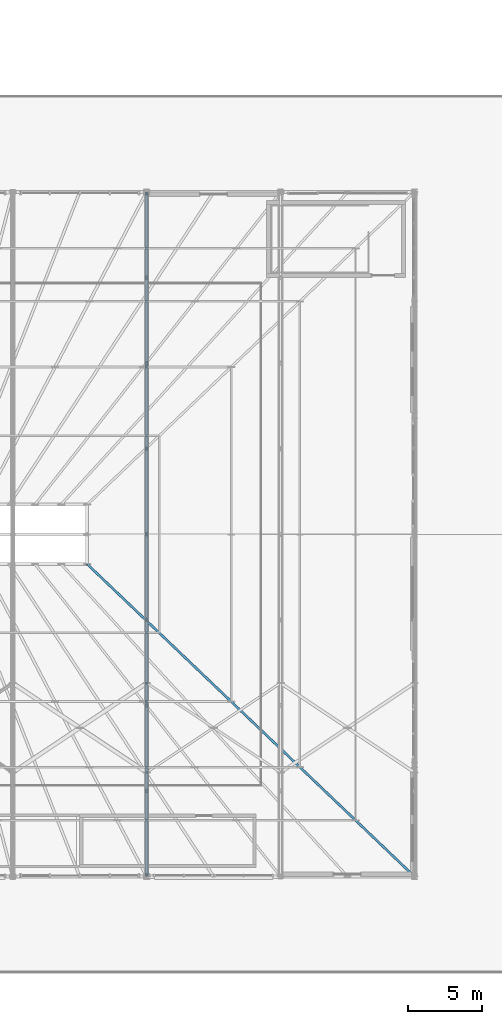
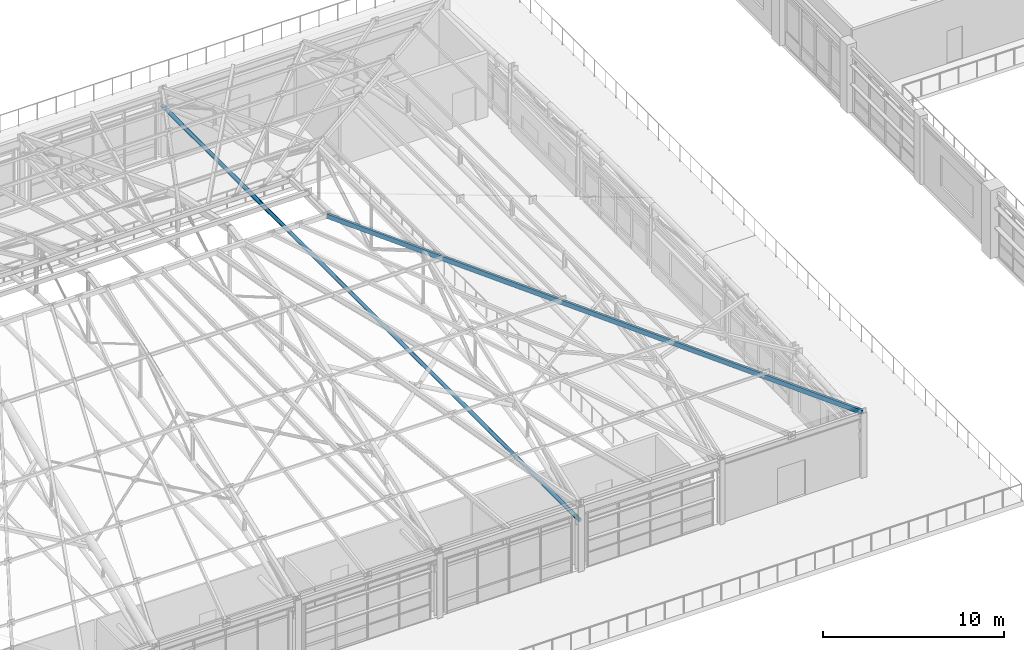
# One storey, part 45 of 168: 2 members.
"""IFC4 building model written with IfcOpenShell, lengths in metres."""

from ifc_helpers import new_model, si_unit, direction, frame, origin, origin_2d, place, context, subcontext, project, spatial, hollow_rectangle, hollow_circle, extrude, material, material_profile, profile_set, type_object, element, save


model = new_model("IFC4")

# Units and contexts
model_context = context("Model", 3, precision=1e-05, world=origin(), true_north=direction((0.0, 1.0)))
body_context = subcontext(model_context, "Body", "Model", "MODEL_VIEW")
ifc_project = project(units=[si_unit("LENGTHUNIT", "METRE"), si_unit("AREAUNIT", "SQUARE_METRE"), si_unit("VOLUMEUNIT", "CUBIC_METRE"), si_unit("PLANEANGLEUNIT", "RADIAN"), si_unit("MASSUNIT", "GRAM", prefix="KILO"), si_unit("THERMODYNAMICTEMPERATUREUNIT", "KELVIN"), si_unit("POWERUNIT", "WATT")], contexts=[model_context])

# Site, building, storey
site_placement = place(None, origin())
site = spatial("IfcSite", under=ifc_project, at=site_placement, CompositionType="ELEMENT")
building_placement = place(site_placement, origin())
building = spatial("IfcBuilding", under=site, at=building_placement, Name="Tepalcoro Natatorium and Aquatics Centre", CompositionType="ELEMENT")
storey_placement = place(building_placement, frame((0.0, 0.0, 10.199951171875)))
storey = spatial("IfcBuildingStorey", under=building, at=storey_placement, Name="L02", CompositionType="ELEMENT", Elevation=10.199951171875)

# Members
ifc_material = material(Name="Terracotta Painted Hollow Steel ASTM A500 Grade C (Fy 345 MPa)", Category="masonry")
ifc_material_profile_1 = material_profile(ifc_material, hollow_circle(Radius=0.1220703125, WallThickness=0.01611328125, at=origin_2d()), Name="CHS244X16")
ifc_profile_set_1 = profile_set([ifc_material_profile_1], Name="Terracotta Painted Hollow Steel ASTM A500 Grade C (Fy 345 MPa)")
member_type_1 = type_object("IfcMemberType", Name="MB_AT_CHS244x16", PredefinedType="USERDEFINED", material=ifc_profile_set_1)
member_1_placement = place(storey_placement, frame((107.0, 13.0, 3.35009765625), z_axis=(0.0, 1.0, 0.0), x_axis=(-1.0, 0.0, 0.0)))
element("IfcMember", 1, at=member_1_placement, inside=storey, type_object=member_type_1, Name="V1 Tied-Arch Tension Tie 7", ObjectType="ARCH TIE", PredefinedType="USERDEFINED", context=body_context, shape_type="SweptSolid", body=[
    extrude(hollow_circle(Radius=0.1220703125, WallThickness=0.01611328125, at=origin_2d()), origin(), (0.0, 0.0, 1.0), 46.0),
])
ifc_material_profile_2 = material_profile(ifc_material, hollow_rectangle(XDim=0.14990234375, YDim=0.300048828125, WallThickness=0.011962890625, at=origin_2d()), Name="HSS300X150X12")
ifc_profile_set_2 = profile_set([ifc_material_profile_2], Name="Terracotta Painted Hollow Steel ASTM A500 Grade C (Fy 345 MPa)")
member_type_2 = type_object("IfcMemberType", Name="MB_RF_HSS300x150x12", PredefinedType="RAFTER", material=ifc_profile_set_2)
member_2_placement = place(storey_placement, frame((125.0, 13.0, 4.320068359375), z_axis=(-0.698386900615, 0.666642041496, 0.260469049137), x_axis=(-0.690475746683, -0.723355544144, 0.0)))
element("IfcMember", 2, at=member_2_placement, inside=storey, type_object=member_type_2, Name="Pyramid Hip Rafter SE", PredefinedType="RAFTER", context=body_context, shape_type="SweptSolid", body=[
    extrude(hollow_rectangle(XDim=0.14990234375, YDim=0.300048828125, WallThickness=0.011962890625, at=origin_2d()), origin(), (0.0, 0.0, 1.0), 31.501220703125),
])

save(model, "model.ifc")
